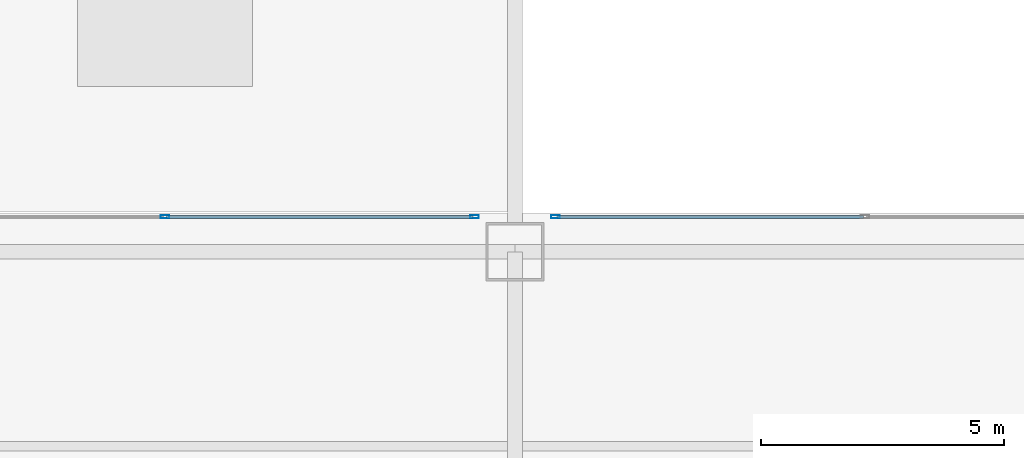
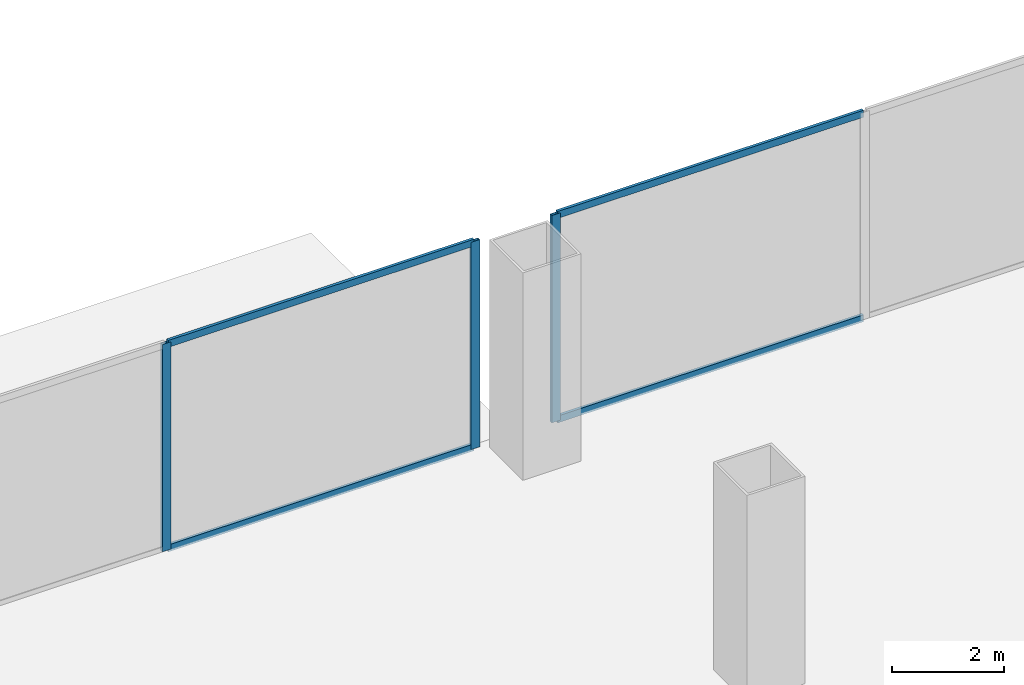
# One storey, part 27 of 42: 7 members, 2 elements without a shape of their own.
"""IFC4 building model written with IfcOpenShell, lengths in metres."""

from ifc_helpers import new_model, si_unit, direction, frame, origin, origin_2d, place, context, subcontext, project, spatial, hollow_rectangle, extrude, source, transform, mapped, material, layer, layer_set, material_profile, profile_set, type_object, element, aggregate, save


model = new_model("IFC4")

# Units and contexts
model_context = context("Model", 3, precision=1e-05, world=origin(), true_north=direction((0.0, 1.0)))
body_context = subcontext(model_context, "Body", "Model", "MODEL_VIEW")
ifc_project = project(units=[si_unit("LENGTHUNIT", "METRE"), si_unit("AREAUNIT", "SQUARE_METRE"), si_unit("VOLUMEUNIT", "CUBIC_METRE"), si_unit("PLANEANGLEUNIT", "RADIAN"), si_unit("MASSUNIT", "GRAM", prefix="KILO"), si_unit("THERMODYNAMICTEMPERATUREUNIT", "KELVIN"), si_unit("POWERUNIT", "WATT")], contexts=[model_context])

# Site, building, storey
site_placement = place(None, origin())
site = spatial("IfcSite", under=ifc_project, at=site_placement, CompositionType="ELEMENT")
building_placement = place(site_placement, origin())
building = spatial("IfcBuilding", under=site, at=building_placement, Name="Yunzhuo Pagoda Commons", CompositionType="ELEMENT")
storey_placement = place(building_placement, frame((0.0, 0.0, 4.800048828125)))
storey = spatial("IfcBuildingStorey", under=building, at=storey_placement, Name="L02", CompositionType="ELEMENT", Elevation=4.800048828125)

# Curtain wall, members
ifc_material = material(Name="Anodized aluminium 6063-T6", Category="aluminium")
ifc_layer = layer(ifc_material, 0.179931640625)
ifc_layer_set = layer_set([ifc_layer], Name="Anodized aluminium 6063-T6")
curtain_wall_type = type_object("IfcCurtainWallType", Name="CW-POD Waterfront Podium Curtain Wall", PredefinedType="NOTDEFINED", material=ifc_layer_set)
curtain_wall_1_placement = place(storey_placement, origin())
curtain_wall_1 = element("IfcCurtainWall", 1, at=curtain_wall_1_placement, inside=storey, type_object=curtain_wall_type, Name="L02 curtain wall CW-L02-N4", PredefinedType="NOTDEFINED")
ifc_material_profile_1 = material_profile(ifc_material, hollow_rectangle(XDim=0.06494140625, YDim=0.179931640625, WallThickness=0.00390625, at=origin_2d()), Name="Anodized aluminium 6063-T6")
ifc_profile_set_1 = profile_set([ifc_material_profile_1], Name="Anodized aluminium 6063-T6")
member_type_1 = type_object("IfcMemberType", Name="CW-POD-M Mullion RHS 180x65x4", PredefinedType="MULLION", material=ifc_profile_set_1)
shared_shape_1 = source(origin(), body_context, "Body", "SweptSolid", [
    extrude(hollow_rectangle(XDim=0.06494140625, YDim=0.179931640625, WallThickness=0.00390625, at=origin_2d()), origin(), (0.0, 0.0, 1.0), 4.52001953125),
])
member_1_placement = place(storey_placement, frame((69.60009765625, 89.919921875, 0.0), z_axis=(0.0, 0.0, 1.0), x_axis=(0.0, 1.0, 0.0)))
member_1 = element("IfcMember", 2, at=member_1_placement, type_object=member_type_1, Name="CW mullion 2", PredefinedType="MULLION", context=body_context, shape_type="MappedRepresentation", body=[
    mapped(shared_shape_1, transform((0.0, 0.0, 0.0), scale=1.0)),
])
member_2_placement = place(storey_placement, frame((75.967529296875, 89.919921875, 0.0), z_axis=(0.0, 0.0, 1.0), x_axis=(0.0, 1.0, 0.0)))
member_2 = element("IfcMember", 3, at=member_2_placement, type_object=member_type_1, Name="CW mullion 3", PredefinedType="MULLION", context=body_context, shape_type="MappedRepresentation", body=[
    mapped(shared_shape_1, transform((0.0, 0.0, 0.0), scale=1.0)),
])

# Curtain wall, member
curtain_wall_2_placement = place(storey_placement, origin())
curtain_wall_2 = element("IfcCurtainWall", 4, at=curtain_wall_2_placement, inside=storey, type_object=curtain_wall_type, Name="L02 curtain wall CW-L02-N5", PredefinedType="NOTDEFINED")
member_3_placement = place(storey_placement, frame((77.632568359375, 89.919921875, 0.0), z_axis=(0.0, 0.0, 1.0), x_axis=(0.0, 1.0, 0.0)))
member_3 = element("IfcMember", 5, at=member_3_placement, type_object=member_type_1, Name="CW mullion 1", PredefinedType="MULLION", context=body_context, shape_type="MappedRepresentation", body=[
    mapped(shared_shape_1, transform((0.0, 0.0, 0.0), scale=1.0)),
])

# Member
ifc_material_profile_2 = material_profile(ifc_material, hollow_rectangle(XDim=0.06005859375, YDim=0.14990234375, WallThickness=0.00390625, at=origin_2d()), Name="Anodized aluminium 6063-T6")
ifc_profile_set_2 = profile_set([ifc_material_profile_2], Name="Anodized aluminium 6063-T6")
member_type_2 = type_object("IfcMemberType", Name="CW-POD-T Transom RHS 150x60x4", PredefinedType="USERDEFINED", material=ifc_profile_set_2)
shared_shape_2 = source(origin(), body_context, "Body", "SweptSolid", [
    extrude(hollow_rectangle(XDim=0.06005859375, YDim=0.14990234375, WallThickness=0.00390625, at=origin_2d()), origin(), (0.0, 0.0, 1.0), 6.302490234375),
])
member_4_placement = place(storey_placement, frame((69.632568359375, 89.919921875, 0.030029296875), z_axis=(1.0, 0.0, 0.0), x_axis=(0.0, 1.0, 0.0)))
member_4 = element("IfcMember", 6, at=member_4_placement, type_object=member_type_2, Name="CW transom 2.1", ObjectType="TRANSOM", PredefinedType="USERDEFINED", context=body_context, shape_type="MappedRepresentation", body=[
    mapped(shared_shape_2, transform((0.0, 0.0, 0.0), scale=1.0)),
])

member_5_placement = place(storey_placement, frame((69.632568359375, 89.919921875, 4.489990234375), z_axis=(1.0, 0.0, 0.0), x_axis=(0.0, 1.0, 0.0)))
member_5 = element("IfcMember", 7, at=member_5_placement, type_object=member_type_2, Name="CW transom 2.2", ObjectType="TRANSOM", PredefinedType="USERDEFINED", context=body_context, shape_type="MappedRepresentation", body=[
    mapped(shared_shape_2, transform((0.0, 0.0, 0.0), scale=1.0)),
])

aggregate(curtain_wall_1, [member_1, member_2, member_4, member_5])

member_6_placement = place(storey_placement, frame((77.6650390625, 89.919921875, 0.030029296875), z_axis=(1.0, 0.0, 0.0), x_axis=(0.0, 1.0, 0.0)))
member_6 = element("IfcMember", 8, at=member_6_placement, type_object=member_type_2, Name="CW transom 1.1", ObjectType="TRANSOM", PredefinedType="USERDEFINED", context=body_context, shape_type="MappedRepresentation", body=[
    mapped(shared_shape_2, transform((0.0, 0.0, 0.0), scale=1.0)),
])

member_7_placement = place(storey_placement, frame((77.6650390625, 89.919921875, 4.489990234375), z_axis=(1.0, 0.0, 0.0), x_axis=(0.0, 1.0, 0.0)))
member_7 = element("IfcMember", 9, at=member_7_placement, type_object=member_type_2, Name="CW transom 1.2", ObjectType="TRANSOM", PredefinedType="USERDEFINED", context=body_context, shape_type="MappedRepresentation", body=[
    mapped(shared_shape_2, transform((0.0, 0.0, 0.0), scale=1.0)),
])

aggregate(curtain_wall_2, [member_3, member_6, member_7])

save(model, "model.ifc")
